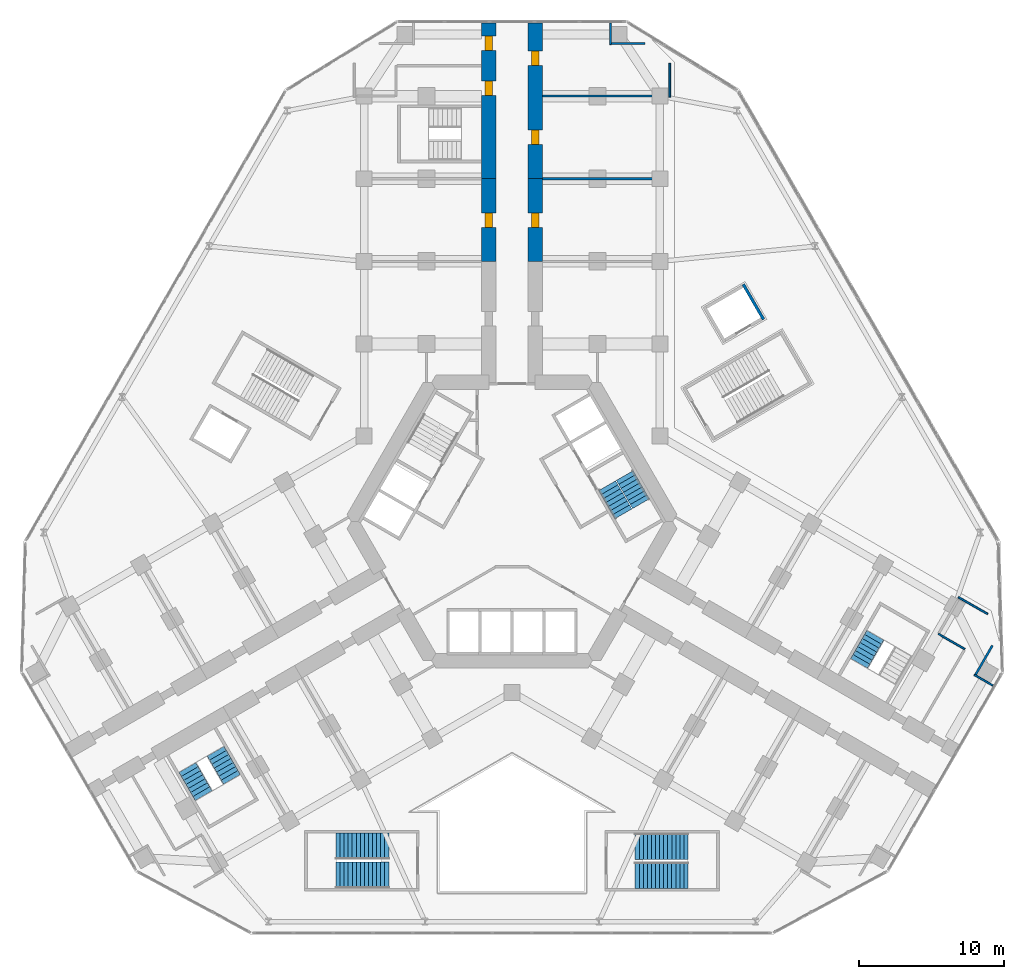
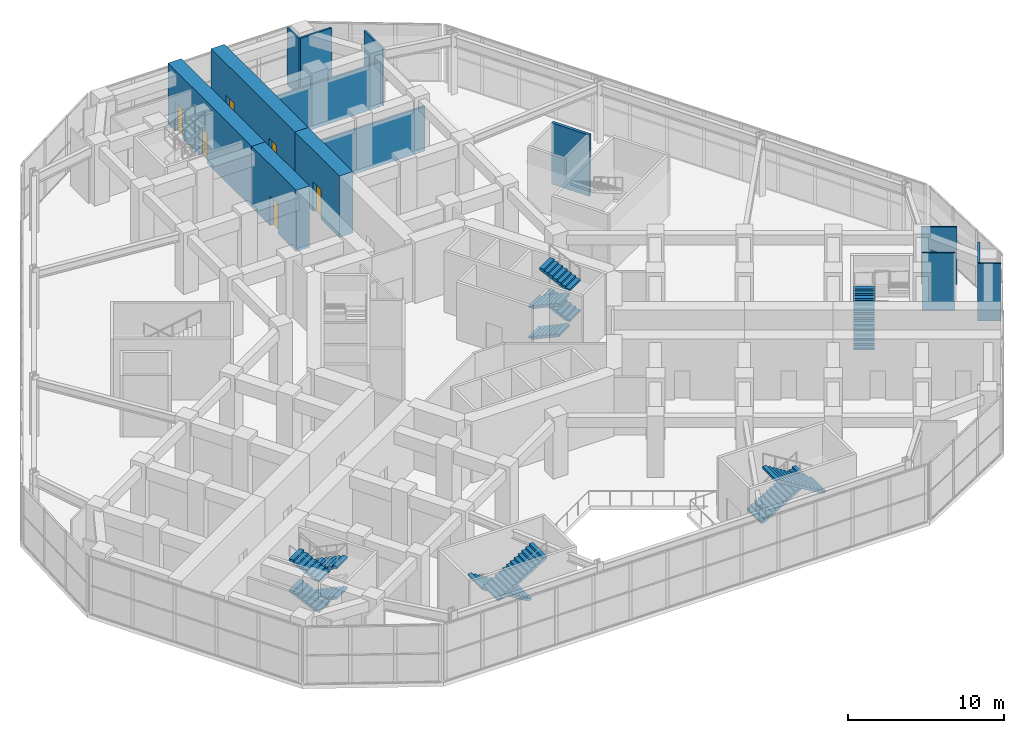
# One storey, part 18 of 21: 14 stair flights, 14 walls, 6 doors, 6 openings, 5 elements without a shape of their own.
"""IFC4 building model written with IfcOpenShell, lengths in metres."""

from ifc_helpers import new_model, si_unit, direction, frame, frame_2d, origin, place, context, subcontext, project, spatial, polyline, rectangle, outline, extrude, material, layer, layer_set, type_object, element, fill, aggregate, save


model = new_model("IFC4")

# Units and contexts
model_context = context("Model", 3, precision=1e-05, world=origin(), true_north=direction((0.0, 1.0)))
body_context = subcontext(model_context, "Body", "Model", "MODEL_VIEW")
ifc_project = project(units=[si_unit("LENGTHUNIT", "METRE"), si_unit("AREAUNIT", "SQUARE_METRE"), si_unit("VOLUMEUNIT", "CUBIC_METRE"), si_unit("PLANEANGLEUNIT", "RADIAN"), si_unit("MASSUNIT", "GRAM", prefix="KILO")], contexts=[model_context])

# Site, building, storey
site_placement = place(None, origin())
site = spatial("IfcSite", under=ifc_project, at=site_placement, CompositionType="ELEMENT")
building_placement = place(site_placement, origin())
building = spatial("IfcBuilding", under=site, at=building_placement, Name="Kosmar Iwan School Tower", CompositionType="ELEMENT")
storey_placement = place(building_placement, frame((0.0, 0.0, 6.0)))
storey = spatial("IfcBuildingStorey", under=building, at=storey_placement, Name="L01", CompositionType="ELEMENT", Elevation=6.0)

# Wall, opening, door
ifc_material_1 = material(Name="Concrete C50/60", Category="concrete")
ifc_layer_1 = layer(ifc_material_1, 1.0)
ifc_layer_set_1 = layer_set([ifc_layer_1], Name="Corridor buttress wall 1000")
wall_type_1 = type_object("IfcWallType", Name="Corridor buttress wall 1000", PredefinedType="SHEAR", material=ifc_layer_set_1)
wall_1_placement = place(storey_placement, frame((-1.60009765625, 17.949951171875, 0.0), z_axis=(0.0, 0.0, 1.0), x_axis=(0.0, 1.0, 0.0)))
wall_1 = element("IfcWall", 1, at=wall_1_placement, inside=storey, type_object=wall_type_1, Name="Corridor wall AL bay 2", PredefinedType="SHEAR", context=body_context, shape_type="SweptSolid", body=[
    extrude(rectangle(XDim=5.699951171875, YDim=1.0, at=frame_2d((2.85009765625, 0.0))), origin(), (0.0, 0.0, 1.0), 4.800048828125),
])
opening_1_placement = place(wall_1_placement, frame((2.35009765625, 0.0, 0.0)))
opening_1 = element("IfcOpeningElement", 2, at=opening_1_placement, cuts=wall_1, Name="Opening D4", PredefinedType="OPENING", context=body_context, shape_type="SweptSolid", body=[
    extrude(rectangle(XDim=1.0, YDim=2.300048828125, at=frame_2d((0.5, 1.14990234375))), frame((0.0, 0.511962890625, 0.0), z_axis=(0.0, -1.0, 0.0), x_axis=(1.0, 0.0, 0.0)), (0.0, 0.0, 1.0), 1.02392578125),
])
ifc_material_2 = material(Name="Timber fire door with vision panel", Category="wood")
door_type = type_object("IfcDoorType", Name="Classroom door 1000x2300", OperationType="SINGLE_SWING_LEFT", PredefinedType="DOOR", material=ifc_material_2)
door_1_placement = place(opening_1_placement, origin())
door_1 = element("IfcDoor", 3, at=door_1_placement, inside=storey, type_object=door_type, Name="Kindergarten group room AL2 door L01-AL2", OperationType="SINGLE_SWING_RIGHT", OverallHeight=2.300048828125, OverallWidth=1.0, PredefinedType="DOOR", context=body_context, shape_type="SweptSolid", body=[
    extrude(rectangle(XDim=1.0, YDim=2.300048828125, at=frame_2d((0.5, 1.14990234375))), frame((0.0, 0.25, 0.0), z_axis=(0.0, -1.0, 0.0), x_axis=(1.0, 0.0, 0.0)), (0.0, 0.0, 1.0), 0.5),
])
fill(opening_1, door_1)

# Wall, openings, doors
wall_2_placement = place(storey_placement, frame((-1.60009765625, 23.64990234375, 0.0), z_axis=(0.0, 0.0, 1.0), x_axis=(0.0, 1.0, 0.0)))
wall_2 = element("IfcWall", 4, at=wall_2_placement, inside=storey, type_object=wall_type_1, Name="Corridor wall AL bay 3", PredefinedType="SHEAR", context=body_context, shape_type="SweptSolid", body=[
    extrude(rectangle(XDim=10.7451171875, YDim=1.0, at=frame_2d((5.37255859375, 0.0))), origin(), (0.0, 0.0, 1.0), 4.800048828125),
])
opening_2_placement = place(wall_2_placement, frame((5.75, 0.0, 0.0)))
opening_2 = element("IfcOpeningElement", 5, at=opening_2_placement, cuts=wall_2, Name="Opening D4", PredefinedType="OPENING", context=body_context, shape_type="SweptSolid", body=[
    extrude(rectangle(XDim=1.0, YDim=2.300048828125, at=frame_2d((0.5, 1.14990234375))), frame((0.0, 0.511962890625, 0.0), z_axis=(0.0, -1.0, 0.0), x_axis=(1.0, 0.0, 0.0)), (0.0, 0.0, 1.0), 1.02392578125),
])
opening_3_placement = place(wall_2_placement, frame((8.860107421875, 0.0, 0.0)))
opening_3 = element("IfcOpeningElement", 6, at=opening_3_placement, cuts=wall_2, Name="Opening D4", PredefinedType="OPENING", context=body_context, shape_type="SweptSolid", body=[
    extrude(rectangle(XDim=1.0, YDim=2.300048828125, at=frame_2d((0.5, 1.14990234375))), frame((0.0, 0.511962890625, 0.0), z_axis=(0.0, -1.0, 0.0), x_axis=(1.0, 0.0, 0.0)), (0.0, 0.0, 1.0), 1.02392578125),
])
door_2_placement = place(opening_2_placement, origin())
door_2 = element("IfcDoor", 7, at=door_2_placement, inside=storey, type_object=door_type, Name="Kindergarten group room AL3 door L01-AL3", OperationType="SINGLE_SWING_LEFT", OverallHeight=2.300048828125, OverallWidth=1.0, PredefinedType="DOOR", context=body_context, shape_type="SweptSolid", body=[
    extrude(rectangle(XDim=1.0, YDim=2.300048828125, at=frame_2d((0.5, 1.14990234375))), frame((0.0, 0.25, 0.0), z_axis=(0.0, -1.0, 0.0), x_axis=(1.0, 0.0, 0.0)), (0.0, 0.0, 1.0), 0.5),
])
fill(opening_2, door_2)
door_3_placement = place(opening_3_placement, origin())
door_3 = element("IfcDoor", 8, at=door_3_placement, inside=storey, type_object=door_type, Name="Toilets door L01-AL4", OperationType="SINGLE_SWING_RIGHT", OverallHeight=2.300048828125, OverallWidth=1.0, PredefinedType="DOOR", context=body_context, shape_type="SweptSolid", body=[
    extrude(rectangle(XDim=1.0, YDim=2.300048828125, at=frame_2d((0.5, 1.14990234375))), frame((0.0, 0.25, 0.0), z_axis=(0.0, -1.0, 0.0), x_axis=(1.0, 0.0, 0.0)), (0.0, 0.0, 1.0), 0.5),
])
fill(opening_3, door_3)

# Wall, opening, door
wall_3_placement = place(storey_placement, frame((1.60009765625, 17.949951171875, 0.0), z_axis=(0.0, 0.0, 1.0), x_axis=(0.0, 1.0, 0.0)))
wall_3 = element("IfcWall", 9, at=wall_3_placement, inside=storey, type_object=wall_type_1, Name="Corridor wall AR bay 2", PredefinedType="SHEAR", context=body_context, shape_type="SweptSolid", body=[
    extrude(rectangle(XDim=5.699951171875, YDim=1.0, at=frame_2d((2.85009765625, 0.0))), origin(), (0.0, 0.0, 1.0), 4.800048828125),
])
opening_4_placement = place(wall_3_placement, frame((2.35009765625, 0.0, 0.0)))
opening_4 = element("IfcOpeningElement", 10, at=opening_4_placement, cuts=wall_3, Name="Opening D4", PredefinedType="OPENING", context=body_context, shape_type="SweptSolid", body=[
    extrude(rectangle(XDim=1.0, YDim=2.300048828125, at=frame_2d((0.5, 1.14990234375))), frame((0.0, 0.511962890625, 0.0), z_axis=(0.0, -1.0, 0.0), x_axis=(1.0, 0.0, 0.0)), (0.0, 0.0, 1.0), 1.02392578125),
])
door_4_placement = place(opening_4_placement, origin())
door_4 = element("IfcDoor", 11, at=door_4_placement, inside=storey, type_object=door_type, Name="Kindergarten group room AR2 door L01-AR2", OperationType="SINGLE_SWING_LEFT", OverallHeight=2.300048828125, OverallWidth=1.0, PredefinedType="DOOR", context=body_context, shape_type="SweptSolid", body=[
    extrude(rectangle(XDim=1.0, YDim=2.300048828125, at=frame_2d((0.5, 1.14990234375))), frame((0.0, 0.25, 0.0), z_axis=(0.0, -1.0, 0.0), x_axis=(1.0, 0.0, 0.0)), (0.0, 0.0, 1.0), 0.5),
])
fill(opening_4, door_4)

# Wall, openings, doors
wall_4_placement = place(storey_placement, frame((1.60009765625, 23.64990234375, 0.0), z_axis=(0.0, 0.0, 1.0), x_axis=(0.0, 1.0, 0.0)))
wall_4 = element("IfcWall", 12, at=wall_4_placement, inside=storey, type_object=wall_type_1, Name="Corridor wall AR bay 3", PredefinedType="SHEAR", context=body_context, shape_type="SweptSolid", body=[
    extrude(rectangle(XDim=10.7451171875, YDim=1.0, at=frame_2d((5.37255859375, 0.0))), origin(), (0.0, 0.0, 1.0), 4.800048828125),
])
opening_5_placement = place(wall_4_placement, frame((2.35009765625, 0.0, 0.0)))
opening_5 = element("IfcOpeningElement", 13, at=opening_5_placement, cuts=wall_4, Name="Opening D4", PredefinedType="OPENING", context=body_context, shape_type="SweptSolid", body=[
    extrude(rectangle(XDim=1.0, YDim=2.300048828125, at=frame_2d((0.5, 1.14990234375))), frame((0.0, 0.511962890625, 0.0), z_axis=(0.0, -1.0, 0.0), x_axis=(1.0, 0.0, 0.0)), (0.0, 0.0, 1.0), 1.02392578125),
])
opening_6_placement = place(wall_4_placement, frame((7.824951171875, 0.0, 0.0)))
opening_6 = element("IfcOpeningElement", 14, at=opening_6_placement, cuts=wall_4, Name="Opening D4", PredefinedType="OPENING", context=body_context, shape_type="SweptSolid", body=[
    extrude(rectangle(XDim=1.0, YDim=2.300048828125, at=frame_2d((0.5, 1.14990234375))), frame((0.0, 0.511962890625, 0.0), z_axis=(0.0, -1.0, 0.0), x_axis=(1.0, 0.0, 0.0)), (0.0, 0.0, 1.0), 1.02392578125),
])
door_5_placement = place(opening_5_placement, origin())
door_5 = element("IfcDoor", 15, at=door_5_placement, inside=storey, type_object=door_type, Name="Kindergarten group room AR3 door L01-AR3", OperationType="SINGLE_SWING_LEFT", OverallHeight=2.300048828125, OverallWidth=1.0, PredefinedType="DOOR", context=body_context, shape_type="SweptSolid", body=[
    extrude(rectangle(XDim=1.0, YDim=2.300048828125, at=frame_2d((0.5, 1.14990234375))), frame((0.0, 0.25, 0.0), z_axis=(0.0, -1.0, 0.0), x_axis=(1.0, 0.0, 0.0)), (0.0, 0.0, 1.0), 0.5),
])
fill(opening_5, door_5)
door_6_placement = place(opening_6_placement, origin())
door_6 = element("IfcDoor", 16, at=door_6_placement, inside=storey, type_object=door_type, Name="Toilets door L01-AR4", OperationType="SINGLE_SWING_RIGHT", OverallHeight=2.300048828125, OverallWidth=1.0, PredefinedType="DOOR", context=body_context, shape_type="SweptSolid", body=[
    extrude(rectangle(XDim=1.0, YDim=2.300048828125, at=frame_2d((0.5, 1.14990234375))), frame((0.0, 0.25, 0.0), z_axis=(0.0, -1.0, 0.0), x_axis=(1.0, 0.0, 0.0)), (0.0, 0.0, 1.0), 0.5),
])
fill(opening_6, door_6)

# Walls
ifc_material_3 = material(Name="Gypsum board on steel studs", Category="steel")
ifc_layer_2 = layer(ifc_material_3, 0.1201171875)
ifc_layer_set_2 = layer_set([ifc_layer_2], Name="Dwelling partition 120")
wall_type_2 = type_object("IfcWallType", Name="Dwelling partition 120", PredefinedType="PARTITIONING", material=ifc_layer_set_2)
wall_5_placement = place(storey_placement, frame((6.7900390625, 32.89990234375, 0.0), z_axis=(0.0, 0.0, 1.0), x_axis=(0.0, 1.0, 0.0)))
element("IfcWall", 17, at=wall_5_placement, inside=storey, type_object=wall_type_2, Name="Partition L01-AR-DL", PredefinedType="PARTITIONING", context=body_context, shape_type="SweptSolid", body=[
    extrude(rectangle(XDim=1.4951171875, YDim=0.1201171875, at=frame_2d((0.74755859375, 0.0))), origin(), (0.0, 0.0, 1.0), 4.5),
])
wall_6_placement = place(storey_placement, frame((10.8798828125, 29.27490234375, 0.0), z_axis=(0.0, 0.0, 1.0), x_axis=(0.0, 1.0, 0.0)))
element("IfcWall", 18, at=wall_6_placement, inside=storey, type_object=wall_type_2, Name="Partition L01-AR-TW", PredefinedType="PARTITIONING", context=body_context, shape_type="SweptSolid", body=[
    extrude(rectangle(XDim=2.3251953125, YDim=0.1201171875, at=frame_2d((1.16259765625, 0.0))), origin(), (0.0, 0.0, 1.0), 4.5),
])
wall_7_placement = place(storey_placement, frame((31.88720703125, -10.569580078125, 0.0), z_axis=(0.0, 0.0, 1.0), x_axis=(0.866003374288, -0.500038154266, 0.0)))
element("IfcWall", 19, at=wall_7_placement, inside=storey, type_object=wall_type_2, Name="Partition L01-CL-DL", PredefinedType="PARTITIONING", context=body_context, shape_type="SweptSolid", body=[
    extrude(rectangle(XDim=1.4951171875, YDim=0.1201171875, at=frame_2d((0.74755859375, 0.0))), origin(), (0.0, 0.0, 1.0), 4.5),
])
wall_8_placement = place(storey_placement, frame((30.79296875, -5.215087890625, 0.0), z_axis=(0.0, 0.0, 1.0), x_axis=(0.865998469481, -0.500046648681, 0.0)))
element("IfcWall", 20, at=wall_8_placement, inside=storey, type_object=wall_type_2, Name="Partition L01-CL-TW", PredefinedType="PARTITIONING", context=body_context, shape_type="SweptSolid", body=[
    extrude(rectangle(XDim=2.324951171875, YDim=0.1201171875, at=frame_2d((1.16259765625, 0.0))), origin(), (0.0, 0.0, 1.0), 4.5),
])
wall_9_placement = place(storey_placement, frame((29.417724609375, -7.746826171875, 0.0), z_axis=(0.0, 0.0, 1.0), x_axis=(0.866038466041, -0.499977374825, 0.0)))
element("IfcWall", 21, at=wall_9_placement, inside=storey, type_object=wall_type_2, Name="Partition L01-CL-X3L", PredefinedType="PARTITIONING", context=body_context, shape_type="SweptSolid", body=[
    extrude(rectangle(XDim=2.10009765625, YDim=0.1201171875, at=frame_2d((1.050048828125, 0.0))), origin(), (0.0, 0.0, 1.0), 4.5),
])
ifc_material_4 = material(Name="Concrete C50/60", Category="concrete")
ifc_layer_3 = layer(ifc_material_4, 0.199951171875)
ifc_layer_set_3 = layer_set([ifc_layer_3], Name="Lift shaft wall 200")
wall_type_3 = type_object("IfcWallType", Name="Lift shaft wall 200", PredefinedType="SHEAR", material=ifc_layer_set_3)
wall_10_placement = place(storey_placement, frame((17.3525390625, 13.944580078125, 0.0), z_axis=(0.0, 0.0, 1.0), x_axis=(-0.49998411664, 0.866034573852, 0.0)))
element("IfcWall", 22, at=wall_10_placement, inside=storey, type_object=wall_type_3, Name="School lift SL1 shaft wall", PredefinedType="SHEAR", context=body_context, shape_type="SweptSolid", body=[
    extrude(rectangle(XDim=2.7998046875, YDim=0.199951171875, at=frame_2d((1.39990234375, 0.0))), origin(), (0.0, 0.0, 1.0), 4.800048828125),
])
ifc_material_5 = material(Name="Gypsum board on steel studs", Category="steel")
ifc_layer_4 = layer(ifc_material_5, 0.14990234375)
ifc_layer_set_4 = layer_set([ifc_layer_4], Name="School partition 150")
wall_type_4 = type_object("IfcWallType", Name="School partition 150", PredefinedType="PARTITIONING", material=ifc_layer_set_4)
wall_11_placement = place(storey_placement, frame((6.72998046875, 32.97509765625, 0.0), z_axis=(0.0, 0.0, 1.0), x_axis=(1.0, 0.0, 0.0)))
element("IfcWall", 23, at=wall_11_placement, inside=storey, type_object=wall_type_4, Name="Partition L01-AR-DC", PredefinedType="PARTITIONING", context=body_context, shape_type="SweptSolid", body=[
    extrude(rectangle(XDim=2.445068359375, YDim=0.14990234375, at=frame_2d((1.22265625, 0.0))), origin(), (0.0, 0.0, 1.0), 4.5),
])
for number, where, z_axis, x_axis, name in (
    (24, (2.10009765625, 23.64990234375, 0.0), (0.0, 0.0, 1.0), (1.0, 0.0, 0.0), "Partition L01-AR-X2"),
    (25, (2.10009765625, 29.35009765625, 0.0), (0.0, 0.0, 1.0), (1.0, 0.0, 0.0), "Partition L01-AR-X3"),
):
    element("IfcWall", number, at=place(storey_placement, frame(where, z_axis=z_axis, x_axis=x_axis)), inside=storey, type_object=wall_type_4, Name=name, PredefinedType="PARTITIONING", context=body_context, shape_type="SweptSolid", body=[
        extrude(rectangle(XDim=8.599853515625, YDim=0.14990234375, at=frame_2d((4.2998046875, 0.0))), origin(), (0.0, 0.0, 1.0), 3.5),
    ])
wall_12_placement = place(storey_placement, frame((31.922119140625, -10.6591796875, 0.0), z_axis=(0.0, 0.0, 1.0), x_axis=(0.500048010679, 0.865997683031, 0.0)))
element("IfcWall", 26, at=wall_12_placement, inside=storey, type_object=wall_type_4, Name="Partition L01-CL-DC", PredefinedType="PARTITIONING", context=body_context, shape_type="SweptSolid", body=[
    extrude(rectangle(XDim=2.445068359375, YDim=0.14990234375, at=frame_2d((1.22265625, 0.0))), origin(), (0.0, 0.0, 1.0), 4.5),
])

# Stair, stair flights
ifc_material_6 = material(Name="Concrete C35/45", Category="concrete")
stair_type_1 = type_object("IfcStairType", Name="Escape stair 3600", PredefinedType="HALF_TURN_STAIR", material=ifc_material_6)
stair_1_placement = place(storey_placement, origin())
stair_1 = element("IfcStair", 27, at=stair_1_placement, inside=storey, type_object=stair_type_1, Name="Stair WS2 L01", PredefinedType="HALF_TURN_STAIR")
ifc_material_7 = material(Name="Concrete C35/45", Category="concrete")
stair_flight_type_1 = type_object("IfcStairFlightType", Name="Escape stair flight 1350", PredefinedType="STRAIGHT", material=ifc_material_7)
stair_flight_1_placement = place(storey_placement, frame((-20.44189453125, -15.843505859375, 0.0), z_axis=(0.0, 0.0, 1.0), x_axis=(0.5, -0.866025403784, 0.0)))
stair_flight_1 = element("IfcStairFlight", 28, at=stair_flight_1_placement, type_object=stair_flight_type_1, Name="WS2 flight 1", NumberOfRisers=8, NumberOfTreads=7, PredefinedType="STRAIGHT", RiserHeight=0.15, TreadLength=0.32, context=body_context, shape_type="SweptSolid", body=[
    extrude(outline(polyline([(0.0, 0.0), (0.0, 0.14990234375), (0.320068359375, 0.14990234375), (0.320068359375, 0.300048828125), (0.639892578125, 0.300048828125), (0.639892578125, 0.449951171875), (0.9599609375, 0.449951171875), (0.9599609375, 0.60009765625), (1.280029296875, 0.60009765625), (1.280029296875, 0.75), (1.60009765625, 0.75), (1.60009765625, 0.89990234375), (1.919921875, 0.89990234375), (1.919921875, 1.050048828125), (2.239990234375, 1.050048828125), (2.239990234375, 1.199951171875), (2.239990234375, 0.884521484375), (0.353271484375, 0.0), (0.0, 0.0)])), frame((0.0, 0.675048828125, 0.0), z_axis=(0.0, -1.0, 0.0), x_axis=(1.0, 0.0, 0.0)), (0.0, 0.0, 1.0), 1.35009765625),
])
stair_flight_2_placement = place(storey_placement, frame((-21.2705078125, -18.908447265625, 1.199951171875), z_axis=(0.0, 0.0, 1.0), x_axis=(-0.5, 0.866025403784, 0.0)))
stair_flight_2 = element("IfcStairFlight", 29, at=stair_flight_2_placement, type_object=stair_flight_type_1, Name="WS2 flight 2", NumberOfRisers=8, NumberOfTreads=7, PredefinedType="STRAIGHT", RiserHeight=0.15, TreadLength=0.32, context=body_context, shape_type="SweptSolid", body=[
    extrude(outline(polyline([(0.0, 0.0), (0.0, 0.14990234375), (0.320068359375, 0.14990234375), (0.320068359375, 0.300048828125), (0.639892578125, 0.300048828125), (0.639892578125, 0.449951171875), (0.9599609375, 0.449951171875), (0.9599609375, 0.60009765625), (1.280029296875, 0.60009765625), (1.280029296875, 0.75), (1.60009765625, 0.75), (1.60009765625, 0.89990234375), (1.919921875, 0.89990234375), (1.919921875, 1.050048828125), (2.239990234375, 1.050048828125), (2.239990234375, 1.199951171875), (2.239990234375, 0.884521484375), (0.353271484375, 0.0), (0.0, 0.0)])), frame((0.0, 0.675048828125, 0.0), z_axis=(0.0, -1.0, 0.0), x_axis=(1.0, 0.0, 0.0)), (0.0, 0.0, 1.0), 1.35009765625),
])
stair_flight_3_placement = place(storey_placement, frame((-20.44189453125, -15.843505859375, 2.39990234375), z_axis=(0.0, 0.0, 1.0), x_axis=(0.5, -0.866025403784, 0.0)))
stair_flight_3 = element("IfcStairFlight", 30, at=stair_flight_3_placement, type_object=stair_flight_type_1, Name="WS2 flight 3", NumberOfRisers=8, NumberOfTreads=7, PredefinedType="STRAIGHT", RiserHeight=0.15, TreadLength=0.32, context=body_context, shape_type="SweptSolid", body=[
    extrude(outline(polyline([(0.0, 0.0), (0.0, 0.14990234375), (0.320068359375, 0.14990234375), (0.320068359375, 0.300048828125), (0.639892578125, 0.300048828125), (0.639892578125, 0.449951171875), (0.9599609375, 0.449951171875), (0.9599609375, 0.60009765625), (1.280029296875, 0.60009765625), (1.280029296875, 0.75), (1.60009765625, 0.75), (1.60009765625, 0.89990234375), (1.919921875, 0.89990234375), (1.919921875, 1.050048828125), (2.239990234375, 1.050048828125), (2.239990234375, 1.199951171875), (2.239990234375, 0.884521484375), (0.353271484375, 0.0), (0.0, 0.0)])), frame((0.0, 0.675048828125, 0.0), z_axis=(0.0, -1.0, 0.0), x_axis=(1.0, 0.0, 0.0)), (0.0, 0.0, 1.0), 1.35009765625),
])
stair_flight_4_placement = place(storey_placement, frame((-21.2705078125, -18.908447265625, 3.60009765625), z_axis=(0.0, 0.0, 1.0), x_axis=(-0.5, 0.866025403784, 0.0)))
stair_flight_4 = element("IfcStairFlight", 31, at=stair_flight_4_placement, type_object=stair_flight_type_1, Name="WS2 flight 4", NumberOfRisers=8, NumberOfTreads=7, PredefinedType="STRAIGHT", RiserHeight=0.15, TreadLength=0.32, context=body_context, shape_type="SweptSolid", body=[
    extrude(outline(polyline([(0.0, 0.0), (0.0, 0.14990234375), (0.320068359375, 0.14990234375), (0.320068359375, 0.300048828125), (0.639892578125, 0.300048828125), (0.639892578125, 0.449951171875), (0.9599609375, 0.449951171875), (0.9599609375, 0.60009765625), (1.280029296875, 0.60009765625), (1.280029296875, 0.75), (1.60009765625, 0.75), (1.60009765625, 0.89990234375), (1.919921875, 0.89990234375), (1.919921875, 1.050048828125), (2.239990234375, 1.050048828125), (2.239990234375, 1.199951171875), (2.239990234375, 0.884521484375), (0.353271484375, 0.0), (0.0, 0.0)])), frame((0.0, 0.675048828125, 0.0), z_axis=(0.0, -1.0, 0.0), x_axis=(1.0, 0.0, 0.0)), (0.0, 0.0, 1.0), 1.35009765625),
])
aggregate(stair_1, [stair_flight_1, stair_flight_2, stair_flight_3, stair_flight_4])

stair_2_placement = place(storey_placement, origin())
stair_2 = element("IfcStair", 32, at=stair_2_placement, inside=storey, type_object=stair_type_1, Name="Stair WS3 L01", PredefinedType="HALF_TURN_STAIR")
stair_flight_5_placement = place(storey_placement, frame((23.94189453125, -9.781494140625, 0.0), z_axis=(0.0, 0.0, 1.0), x_axis=(0.5, 0.866025403784, 0.0)))
stair_flight_5 = element("IfcStairFlight", 33, at=stair_flight_5_placement, type_object=stair_flight_type_1, Name="WS3 flight 1", NumberOfRisers=8, NumberOfTreads=7, PredefinedType="STRAIGHT", RiserHeight=0.15, TreadLength=0.32, context=body_context, shape_type="SweptSolid", body=[
    extrude(outline(polyline([(0.0, 0.0), (0.0, 0.14990234375), (0.320068359375, 0.14990234375), (0.320068359375, 0.300048828125), (0.639892578125, 0.300048828125), (0.639892578125, 0.449951171875), (0.9599609375, 0.449951171875), (0.9599609375, 0.60009765625), (1.280029296875, 0.60009765625), (1.280029296875, 0.75), (1.60009765625, 0.75), (1.60009765625, 0.89990234375), (1.919921875, 0.89990234375), (1.919921875, 1.050048828125), (2.239990234375, 1.050048828125), (2.239990234375, 1.199951171875), (2.239990234375, 0.884521484375), (0.353271484375, 0.0), (0.0, 0.0)])), frame((0.0, 0.675048828125, 0.0), z_axis=(0.0, -1.0, 0.0), x_axis=(1.0, 0.0, 0.0)), (0.0, 0.0, 1.0), 1.35009765625),
])
stair_flight_6_placement = place(storey_placement, frame((23.94189453125, -9.781494140625, 2.39990234375), z_axis=(0.0, 0.0, 1.0), x_axis=(0.5, 0.866025403784, 0.0)))
stair_flight_6 = element("IfcStairFlight", 34, at=stair_flight_6_placement, type_object=stair_flight_type_1, Name="WS3 flight 3", NumberOfRisers=8, NumberOfTreads=7, PredefinedType="STRAIGHT", RiserHeight=0.15, TreadLength=0.32, context=body_context, shape_type="SweptSolid", body=[
    extrude(outline(polyline([(0.0, 0.0), (0.0, 0.14990234375), (0.320068359375, 0.14990234375), (0.320068359375, 0.300048828125), (0.639892578125, 0.300048828125), (0.639892578125, 0.449951171875), (0.9599609375, 0.449951171875), (0.9599609375, 0.60009765625), (1.280029296875, 0.60009765625), (1.280029296875, 0.75), (1.60009765625, 0.75), (1.60009765625, 0.89990234375), (1.919921875, 0.89990234375), (1.919921875, 1.050048828125), (2.239990234375, 1.050048828125), (2.239990234375, 1.199951171875), (2.239990234375, 0.884521484375), (0.353271484375, 0.0), (0.0, 0.0)])), frame((0.0, 0.675048828125, 0.0), z_axis=(0.0, -1.0, 0.0), x_axis=(1.0, 0.0, 0.0)), (0.0, 0.0, 1.0), 1.35009765625),
])
aggregate(stair_2, [stair_flight_5, stair_flight_6])

ifc_material_8 = material(Name="Concrete C35/45", Category="concrete")
stair_type_2 = type_object("IfcStairType", Name="School stair 3800", PredefinedType="HALF_TURN_STAIR", material=ifc_material_8)
stair_3_placement = place(storey_placement, origin())
stair_3 = element("IfcStair", 35, at=stair_3_placement, inside=storey, type_object=stair_type_2, Name="School stair SS1 L01", PredefinedType="HALF_TURN_STAIR")
ifc_material_9 = material(Name="Concrete C35/45", Category="concrete")
stair_flight_type_2 = type_object("IfcStairFlightType", Name="School stair flight 1800", PredefinedType="STRAIGHT", material=ifc_material_9)
stair_flight_7_placement = place(storey_placement, frame((-8.5, -22.39990234375, 0.0), z_axis=(0.0, 0.0, 1.0), x_axis=(-1.0, 0.0, 0.0)))
stair_flight_7 = element("IfcStairFlight", 36, at=stair_flight_7_placement, type_object=stair_flight_type_2, Name="SS1 flight 1", NumberOfRisers=14, NumberOfTreads=13, PredefinedType="STRAIGHT", RiserHeight=0.171428571, TreadLength=0.28, context=body_context, shape_type="SweptSolid", body=[
    extrude(outline(polyline([(0.0, 0.0), (0.0, 0.17138671875), (0.280029296875, 0.17138671875), (0.280029296875, 0.3427734375), (0.56005859375, 0.3427734375), (0.56005859375, 0.514404296875), (0.840087890625, 0.514404296875), (0.840087890625, 0.685791015625), (1.1201171875, 0.685791015625), (1.1201171875, 0.857177734375), (1.39990234375, 0.857177734375), (1.39990234375, 1.028564453125), (1.679931640625, 1.028564453125), (1.679931640625, 1.199951171875), (1.9599609375, 1.199951171875), (1.9599609375, 1.371337890625), (2.239990234375, 1.371337890625), (2.239990234375, 1.54296875), (2.52001953125, 1.54296875), (2.52001953125, 1.71435546875), (2.800048828125, 1.71435546875), (2.800048828125, 1.8857421875), (3.080078125, 1.8857421875), (3.080078125, 2.05712890625), (3.360107421875, 2.05712890625), (3.360107421875, 2.228515625), (3.639892578125, 2.228515625), (3.639892578125, 2.39990234375), (3.639892578125, 2.052734375), (0.287109375, 0.0), (0.0, 0.0)])), frame((0.0, 0.89990234375, 0.0), z_axis=(0.0, -1.0, 0.0), x_axis=(1.0, 0.0, 0.0)), (0.0, 0.0, 1.0), 1.800048828125),
])
stair_flight_8_placement = place(storey_placement, frame((-12.139892578125, -24.39990234375, 2.39990234375), z_axis=(0.0, 0.0, 1.0), x_axis=(1.0, 0.0, 0.0)))
stair_flight_8 = element("IfcStairFlight", 37, at=stair_flight_8_placement, type_object=stair_flight_type_2, Name="SS1 flight 2", NumberOfRisers=14, NumberOfTreads=13, PredefinedType="STRAIGHT", RiserHeight=0.171428571, TreadLength=0.28, context=body_context, shape_type="SweptSolid", body=[
    extrude(outline(polyline([(0.0, 0.0), (0.0, 0.17138671875), (0.280029296875, 0.17138671875), (0.280029296875, 0.3427734375), (0.56005859375, 0.3427734375), (0.56005859375, 0.514404296875), (0.840087890625, 0.514404296875), (0.840087890625, 0.685791015625), (1.1201171875, 0.685791015625), (1.1201171875, 0.857177734375), (1.39990234375, 0.857177734375), (1.39990234375, 1.028564453125), (1.679931640625, 1.028564453125), (1.679931640625, 1.199951171875), (1.9599609375, 1.199951171875), (1.9599609375, 1.371337890625), (2.239990234375, 1.371337890625), (2.239990234375, 1.54296875), (2.52001953125, 1.54296875), (2.52001953125, 1.71435546875), (2.800048828125, 1.71435546875), (2.800048828125, 1.8857421875), (3.080078125, 1.8857421875), (3.080078125, 2.05712890625), (3.360107421875, 2.05712890625), (3.360107421875, 2.228515625), (3.639892578125, 2.228515625), (3.639892578125, 2.39990234375), (3.639892578125, 2.052734375), (0.287109375, 0.0), (0.0, 0.0)])), frame((0.0, 0.89990234375, 0.0), z_axis=(0.0, -1.0, 0.0), x_axis=(1.0, 0.0, 0.0)), (0.0, 0.0, 1.0), 1.800048828125),
])
aggregate(stair_3, [stair_flight_7, stair_flight_8])

stair_4_placement = place(storey_placement, origin())
stair_4 = element("IfcStair", 38, at=stair_4_placement, inside=storey, type_object=stair_type_2, Name="School stair SS2 L01", PredefinedType="HALF_TURN_STAIR")
stair_flight_9_placement = place(storey_placement, frame((8.5, -22.39990234375, 0.0), z_axis=(0.0, 0.0, 1.0), x_axis=(1.0, 0.0, 0.0)))
stair_flight_9 = element("IfcStairFlight", 39, at=stair_flight_9_placement, type_object=stair_flight_type_2, Name="SS2 flight 1", NumberOfRisers=14, NumberOfTreads=13, PredefinedType="STRAIGHT", RiserHeight=0.171428571, TreadLength=0.28, context=body_context, shape_type="SweptSolid", body=[
    extrude(outline(polyline([(0.0, 0.0), (0.0, 0.17138671875), (0.280029296875, 0.17138671875), (0.280029296875, 0.3427734375), (0.56005859375, 0.3427734375), (0.56005859375, 0.514404296875), (0.840087890625, 0.514404296875), (0.840087890625, 0.685791015625), (1.1201171875, 0.685791015625), (1.1201171875, 0.857177734375), (1.39990234375, 0.857177734375), (1.39990234375, 1.028564453125), (1.679931640625, 1.028564453125), (1.679931640625, 1.199951171875), (1.9599609375, 1.199951171875), (1.9599609375, 1.371337890625), (2.239990234375, 1.371337890625), (2.239990234375, 1.54296875), (2.52001953125, 1.54296875), (2.52001953125, 1.71435546875), (2.800048828125, 1.71435546875), (2.800048828125, 1.8857421875), (3.080078125, 1.8857421875), (3.080078125, 2.05712890625), (3.360107421875, 2.05712890625), (3.360107421875, 2.228515625), (3.639892578125, 2.228515625), (3.639892578125, 2.39990234375), (3.639892578125, 2.052734375), (0.287109375, 0.0), (0.0, 0.0)])), frame((0.0, 0.89990234375, 0.0), z_axis=(0.0, -1.0, 0.0), x_axis=(1.0, 0.0, 0.0)), (0.0, 0.0, 1.0), 1.800048828125),
])
stair_flight_10_placement = place(storey_placement, frame((12.139892578125, -24.39990234375, 2.39990234375), z_axis=(0.0, 0.0, 1.0), x_axis=(-1.0, 0.0, 0.0)))
stair_flight_10 = element("IfcStairFlight", 40, at=stair_flight_10_placement, type_object=stair_flight_type_2, Name="SS2 flight 2", NumberOfRisers=14, NumberOfTreads=13, PredefinedType="STRAIGHT", RiserHeight=0.171428571, TreadLength=0.28, context=body_context, shape_type="SweptSolid", body=[
    extrude(outline(polyline([(0.0, 0.0), (0.0, 0.17138671875), (0.280029296875, 0.17138671875), (0.280029296875, 0.3427734375), (0.56005859375, 0.3427734375), (0.56005859375, 0.514404296875), (0.840087890625, 0.514404296875), (0.840087890625, 0.685791015625), (1.1201171875, 0.685791015625), (1.1201171875, 0.857177734375), (1.39990234375, 0.857177734375), (1.39990234375, 1.028564453125), (1.679931640625, 1.028564453125), (1.679931640625, 1.199951171875), (1.9599609375, 1.199951171875), (1.9599609375, 1.371337890625), (2.239990234375, 1.371337890625), (2.239990234375, 1.54296875), (2.52001953125, 1.54296875), (2.52001953125, 1.71435546875), (2.800048828125, 1.71435546875), (2.800048828125, 1.8857421875), (3.080078125, 1.8857421875), (3.080078125, 2.05712890625), (3.360107421875, 2.05712890625), (3.360107421875, 2.228515625), (3.639892578125, 2.228515625), (3.639892578125, 2.39990234375), (3.639892578125, 2.052734375), (0.287109375, 0.0), (0.0, 0.0)])), frame((0.0, 0.89990234375, 0.0), z_axis=(0.0, -1.0, 0.0), x_axis=(1.0, 0.0, 0.0)), (0.0, 0.0, 1.0), 1.800048828125),
])
aggregate(stair_4, [stair_flight_9, stair_flight_10])

ifc_material_10 = material(Name="Concrete C35/45", Category="concrete")
stair_type_3 = type_object("IfcStairType", Name="Core stair 2750", PredefinedType="HALF_TURN_STAIR", material=ifc_material_10)
stair_5_placement = place(storey_placement, origin())
stair_5 = element("IfcStair", 41, at=stair_5_placement, inside=storey, type_object=stair_type_3, Name="Stair ST1 L01", PredefinedType="HALF_TURN_STAIR")
ifc_material_11 = material(Name="Concrete C35/45", Category="concrete")
stair_flight_type_3 = type_object("IfcStairFlightType", Name="Stair flight 1350", PredefinedType="STRAIGHT", material=ifc_material_11)
stair_flight_11_placement = place(storey_placement, frame((6.567138671875, 2.475341796875, 0.0), z_axis=(0.0, 0.0, 1.0), x_axis=(0.5, -0.866025403784, 0.0)))
stair_flight_11 = element("IfcStairFlight", 42, at=stair_flight_11_placement, type_object=stair_flight_type_3, Name="ST1 flight 1", NumberOfRisers=8, NumberOfTreads=7, PredefinedType="STRAIGHT", RiserHeight=0.15, TreadLength=0.32, context=body_context, shape_type="SweptSolid", body=[
    extrude(outline(polyline([(0.0, 0.0), (0.0, 0.14990234375), (0.320068359375, 0.14990234375), (0.320068359375, 0.300048828125), (0.639892578125, 0.300048828125), (0.639892578125, 0.449951171875), (0.9599609375, 0.449951171875), (0.9599609375, 0.60009765625), (1.280029296875, 0.60009765625), (1.280029296875, 0.75), (1.60009765625, 0.75), (1.60009765625, 0.89990234375), (1.919921875, 0.89990234375), (1.919921875, 1.050048828125), (2.239990234375, 1.050048828125), (2.239990234375, 1.199951171875), (2.239990234375, 0.884521484375), (0.353271484375, 0.0), (0.0, 0.0)])), frame((0.0, 0.675048828125, 0.0), z_axis=(0.0, -1.0, 0.0), x_axis=(1.0, 0.0, 0.0)), (0.0, 0.0, 1.0), 1.35009765625),
])
stair_flight_12_placement = place(storey_placement, frame((8.899658203125, 1.2353515625, 1.199951171875), z_axis=(0.0, 0.0, 1.0), x_axis=(-0.5, 0.866025403784, 0.0)))
stair_flight_12 = element("IfcStairFlight", 43, at=stair_flight_12_placement, type_object=stair_flight_type_3, Name="ST1 flight 2", NumberOfRisers=8, NumberOfTreads=7, PredefinedType="STRAIGHT", RiserHeight=0.15, TreadLength=0.32, context=body_context, shape_type="SweptSolid", body=[
    extrude(outline(polyline([(0.0, 0.0), (0.0, 0.14990234375), (0.320068359375, 0.14990234375), (0.320068359375, 0.300048828125), (0.639892578125, 0.300048828125), (0.639892578125, 0.449951171875), (0.9599609375, 0.449951171875), (0.9599609375, 0.60009765625), (1.280029296875, 0.60009765625), (1.280029296875, 0.75), (1.60009765625, 0.75), (1.60009765625, 0.89990234375), (1.919921875, 0.89990234375), (1.919921875, 1.050048828125), (2.239990234375, 1.050048828125), (2.239990234375, 1.199951171875), (2.239990234375, 0.884521484375), (0.353271484375, 0.0), (0.0, 0.0)])), frame((0.0, 0.675048828125, 0.0), z_axis=(0.0, -1.0, 0.0), x_axis=(1.0, 0.0, 0.0)), (0.0, 0.0, 1.0), 1.35009765625),
])
stair_flight_13_placement = place(storey_placement, frame((6.567138671875, 2.475341796875, 2.39990234375), z_axis=(0.0, 0.0, 1.0), x_axis=(0.5, -0.866025403784, 0.0)))
stair_flight_13 = element("IfcStairFlight", 44, at=stair_flight_13_placement, type_object=stair_flight_type_3, Name="ST1 flight 3", NumberOfRisers=8, NumberOfTreads=7, PredefinedType="STRAIGHT", RiserHeight=0.15, TreadLength=0.32, context=body_context, shape_type="SweptSolid", body=[
    extrude(outline(polyline([(0.0, 0.0), (0.0, 0.14990234375), (0.320068359375, 0.14990234375), (0.320068359375, 0.300048828125), (0.639892578125, 0.300048828125), (0.639892578125, 0.449951171875), (0.9599609375, 0.449951171875), (0.9599609375, 0.60009765625), (1.280029296875, 0.60009765625), (1.280029296875, 0.75), (1.60009765625, 0.75), (1.60009765625, 0.89990234375), (1.919921875, 0.89990234375), (1.919921875, 1.050048828125), (2.239990234375, 1.050048828125), (2.239990234375, 1.199951171875), (2.239990234375, 0.884521484375), (0.353271484375, 0.0), (0.0, 0.0)])), frame((0.0, 0.675048828125, 0.0), z_axis=(0.0, -1.0, 0.0), x_axis=(1.0, 0.0, 0.0)), (0.0, 0.0, 1.0), 1.35009765625),
])
stair_flight_14_placement = place(storey_placement, frame((8.899658203125, 1.2353515625, 3.60009765625), z_axis=(0.0, 0.0, 1.0), x_axis=(-0.5, 0.866025403784, 0.0)))
stair_flight_14 = element("IfcStairFlight", 45, at=stair_flight_14_placement, type_object=stair_flight_type_3, Name="ST1 flight 4", NumberOfRisers=8, NumberOfTreads=7, PredefinedType="STRAIGHT", RiserHeight=0.15, TreadLength=0.32, context=body_context, shape_type="SweptSolid", body=[
    extrude(outline(polyline([(0.0, 0.0), (0.0, 0.14990234375), (0.320068359375, 0.14990234375), (0.320068359375, 0.300048828125), (0.639892578125, 0.300048828125), (0.639892578125, 0.449951171875), (0.9599609375, 0.449951171875), (0.9599609375, 0.60009765625), (1.280029296875, 0.60009765625), (1.280029296875, 0.75), (1.60009765625, 0.75), (1.60009765625, 0.89990234375), (1.919921875, 0.89990234375), (1.919921875, 1.050048828125), (2.239990234375, 1.050048828125), (2.239990234375, 1.199951171875), (2.239990234375, 0.884521484375), (0.353271484375, 0.0), (0.0, 0.0)])), frame((0.0, 0.675048828125, 0.0), z_axis=(0.0, -1.0, 0.0), x_axis=(1.0, 0.0, 0.0)), (0.0, 0.0, 1.0), 1.35009765625),
])
aggregate(stair_5, [stair_flight_11, stair_flight_12, stair_flight_13, stair_flight_14])

save(model, "model.ifc")
